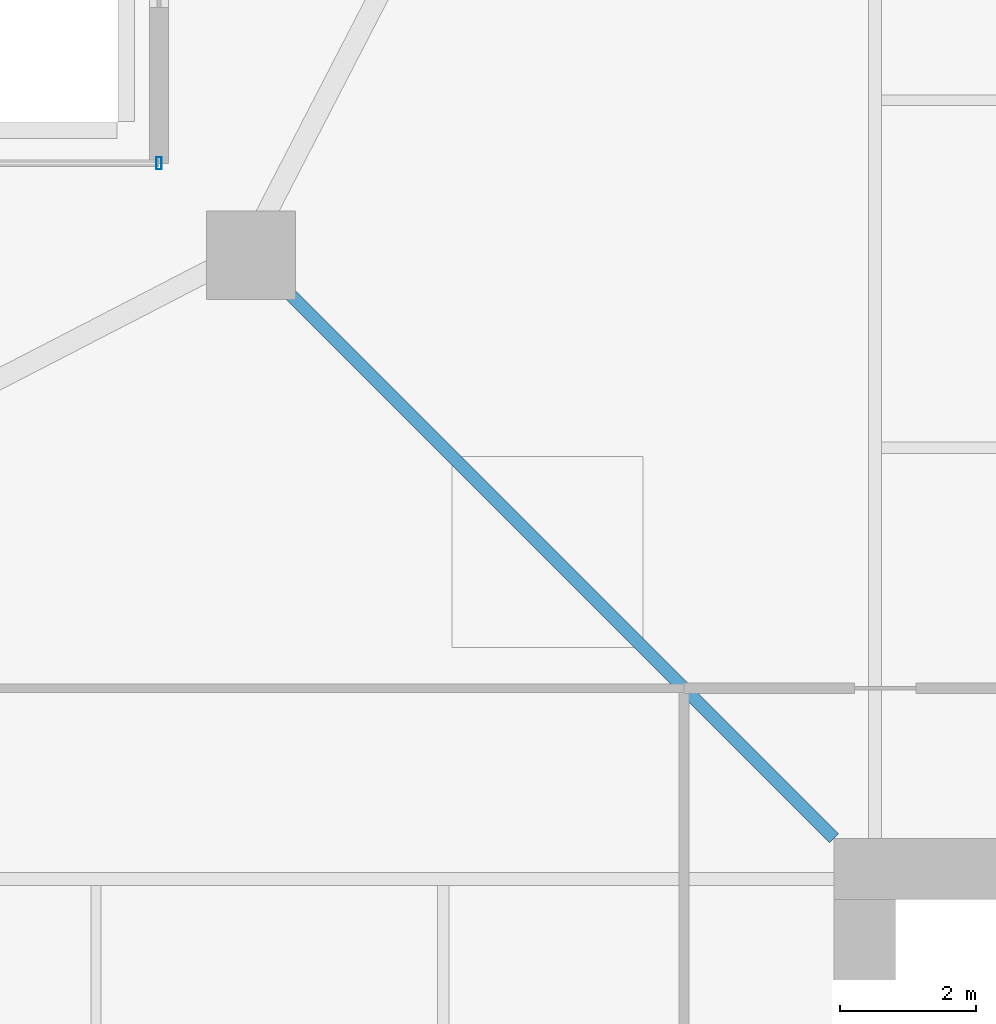
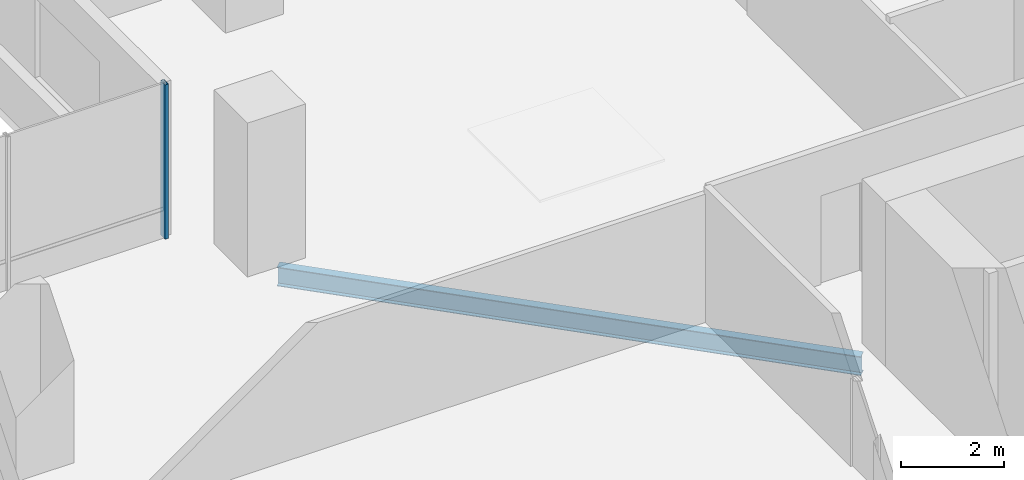
# One storey, part 20 of 34: 1 beam, 1 member, 1 element without a shape of its own.
"""IFC4 building model written with IfcOpenShell, lengths in metres."""

from ifc_helpers import new_model, si_unit, direction, frame, origin, origin_2d, place, context, subcontext, project, spatial, hollow_rectangle, i_section, extrude, material, layer, layer_set, material_profile, profile_set, type_object, element, aggregate, save


model = new_model("IFC4")

# Units and contexts
model_context = context("Model", 3, precision=1e-05, world=origin(), true_north=direction((0.0, 1.0)))
body_context = subcontext(model_context, "Body", "Model", "MODEL_VIEW")
ifc_project = project(units=[si_unit("LENGTHUNIT", "METRE"), si_unit("AREAUNIT", "SQUARE_METRE"), si_unit("VOLUMEUNIT", "CUBIC_METRE"), si_unit("PLANEANGLEUNIT", "RADIAN"), si_unit("MASSUNIT", "GRAM", prefix="KILO")], contexts=[model_context])

# Site, building, storey
site_placement = place(None, origin())
site = spatial("IfcSite", under=ifc_project, at=site_placement, CompositionType="ELEMENT")
building_placement = place(site_placement, origin())
building = spatial("IfcBuilding", under=site, at=building_placement, Name="Belovzor Exchange Tower", CompositionType="ELEMENT")
storey_placement = place(building_placement, frame((0.0, 0.0, 113.39990234375)))
storey = spatial("IfcBuildingStorey", under=building, at=storey_placement, Name="L27", CompositionType="ELEMENT", Elevation=113.39990234375)

# Curtain wall, member
ifc_material_1 = material(Name="Anodised Aluminium Framing", Category="aluminium")
ifc_layer = layer(ifc_material_1, 0.195068359375)
ifc_layer_set = layer_set([ifc_layer], Name="Anodised Aluminium Framing")
curtain_wall_type = type_object("IfcCurtainWallType", Name="Notched Re-Entrant Corner Unitised Curtain Wall", PredefinedType="NOTDEFINED", material=ifc_layer_set)
curtain_wall_placement = place(storey_placement, origin())
curtain_wall = element("IfcCurtainWall", 1, at=curtain_wall_placement, inside=storey, type_object=curtain_wall_type, Name="CW5 Notched Re-Entrant Corner Unitised Curtain Wall L27", PredefinedType="NOTDEFINED")
ifc_material_2 = material(Name="Steel S355", Category="steel")
ifc_material_profile_1 = material_profile(ifc_material_2, hollow_rectangle(XDim=0.074951171875, YDim=0.179931640625, WallThickness=0.0048828125, at=origin_2d()))
ifc_profile_set_1 = profile_set([ifc_material_profile_1], Name="Steel S355")
member_type = type_object("IfcMemberType", Name="Thermally Broken Curtain Wall Mullion 180x75", PredefinedType="MULLION", material=ifc_profile_set_1)
member_placement = place(storey_placement, frame((9.89990234375, 47.699951171875, 0.0), z_axis=(0.0, 0.0, 1.0), x_axis=(1.0, 0.0, 0.0)))
member = element("IfcMember", 2, at=member_placement, type_object=member_type, Name="CW-M180 Curtain Wall Mullion 3", PredefinedType="MULLION", context=body_context, shape_type="SweptSolid", body=[
    extrude(hollow_rectangle(XDim=0.074951171875, YDim=0.179931640625, WallThickness=0.0048828125, at=origin_2d()), origin(), (0.0, 0.0, 1.0), 3.650146484375),
])
aggregate(curtain_wall, [member])

# Beam
ifc_material_3 = material(Name="Steel S355", Category="steel")
ifc_material_profile_2 = material_profile(ifc_material_3, i_section(OverallWidth=0.18994140625, OverallDepth=0.449951171875, WebThickness=0.009521484375, FlangeThickness=0.0146484375, at=origin_2d()))
ifc_profile_set_2 = profile_set([ifc_material_profile_2], Name="Steel S355")
beam_type = type_object("IfcBeamType", Name="Zone 2-4 Radial Composite Floor Beam IPE 450", PredefinedType="BEAM", material=ifc_profile_set_2)
beam_placement = place(storey_placement, frame((19.800048828125, 37.800048828125, -0.474853515625), z_axis=(-0.707117198275, 0.707096363944, 0.0), x_axis=(-0.707096363944, -0.707117198275, 0.0)))
element("IfcBeam", 3, at=beam_placement, inside=storey, type_object=beam_type, Name="FB-450 Zone 2-4 Radial Composite Floor Beam IPE 450", PredefinedType="BEAM", context=body_context, shape_type="SweptSolid", body=[
    extrude(i_section(OverallWidth=0.18994140625, OverallDepth=0.449951171875, WebThickness=0.009521484375, FlangeThickness=0.0146484375, at=origin_2d()), origin(), (0.0, 0.0, 1.0), 11.71826171875),
])

save(model, "model.ifc")
